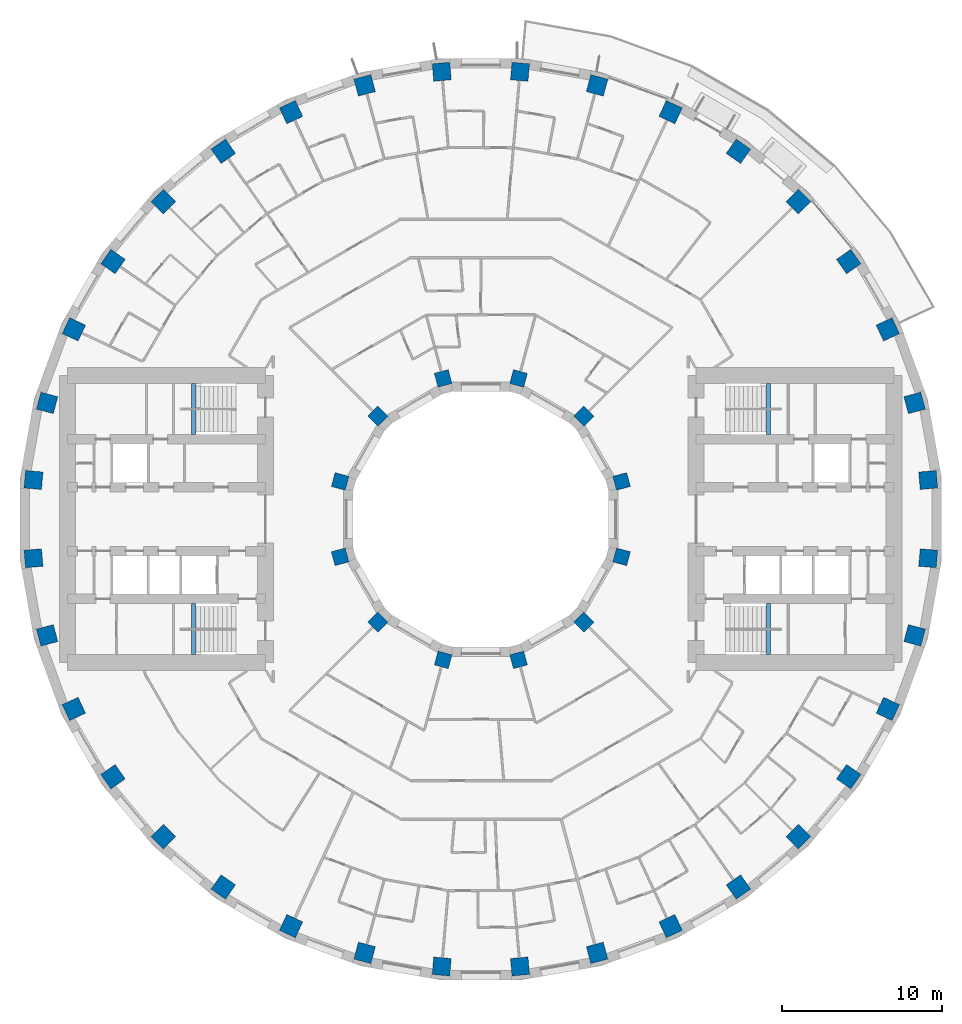
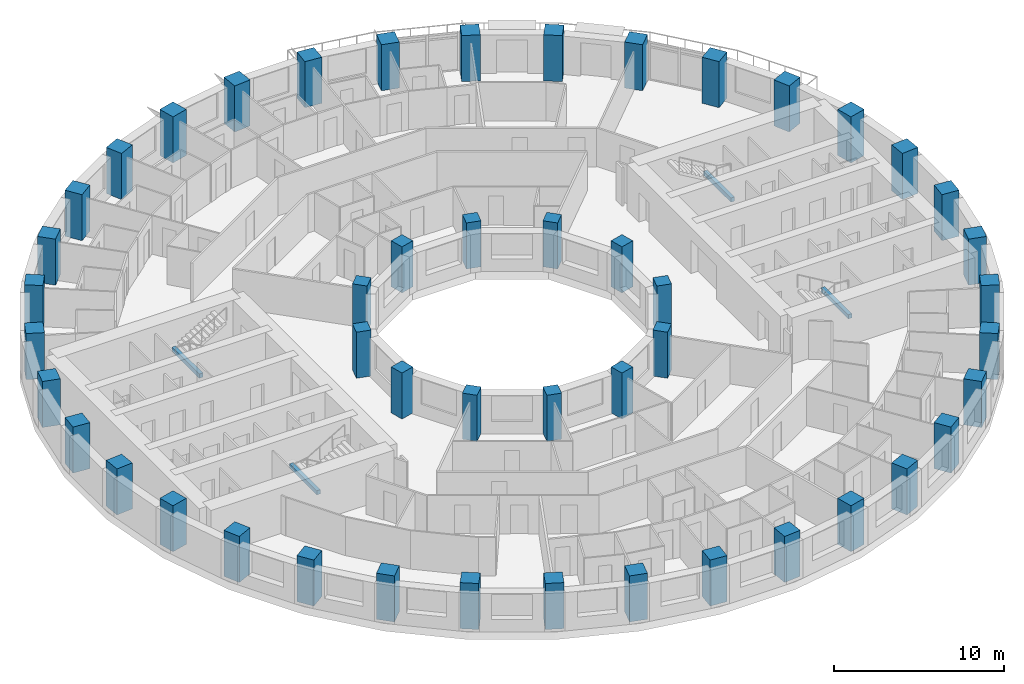
# One storey, part 1 of 15: 48 columns, 4 beams.
"""IFC4 building model written with IfcOpenShell, lengths in metres."""

from ifc_helpers import new_model, si_unit, direction, frame, origin, origin_2d, place, context, subcontext, project, spatial, rectangle, extrude, material, material_profile, profile_set, type_object, element, save


model = new_model("IFC4")

# Units and contexts
model_context = context("Model", 3, precision=1e-05, world=origin(), true_north=direction((0.0, 1.0)))
body_context = subcontext(model_context, "Body", "Model", "MODEL_VIEW")
ifc_project = project(units=[si_unit("LENGTHUNIT", "METRE"), si_unit("AREAUNIT", "SQUARE_METRE"), si_unit("VOLUMEUNIT", "CUBIC_METRE"), si_unit("PLANEANGLEUNIT", "RADIAN"), si_unit("MASSUNIT", "GRAM", prefix="KILO")], contexts=[model_context])

# Site, building, storey
site_placement = place(None, origin())
site = spatial("IfcSite", under=ifc_project, at=site_placement, CompositionType="ELEMENT")
building_placement = place(site_placement, origin())
building = spatial("IfcBuilding", under=site, at=building_placement, Name="Saqina Gate Tower", CompositionType="ELEMENT")
storey_placement = place(building_placement, frame((0.0, 0.0, 72.5)))
storey = spatial("IfcBuildingStorey", under=building, at=storey_placement, Name="L20", CompositionType="ELEMENT", Elevation=72.5)

# Columns
ifc_material_1 = material(Name="Concrete C70/85", Category="concrete")
ifc_material_profile_1 = material_profile(ifc_material_1, rectangle(XDim=0.89990234375, YDim=0.89990234375, at=origin_2d()), Name="RC 900x900")
ifc_profile_set_1 = profile_set([ifc_material_profile_1], Name="Concrete C70/85")
column_type_1 = type_object("IfcColumnType", Name="STR-COL-IN-A", PredefinedType="COLUMN", material=ifc_profile_set_1)
for number, where, z_axis, x_axis, name in (
    (1, (8.821044921875, 2.363525390625, 0.0), (0.0, 0.0, 1.0), (0.965925826289, 0.258819045103, 0.0), "L20-ICL01"),
    (2, (6.45751953125, 6.45751953125, 0.0), (0.0, 0.0, 1.0), (0.707106781187, 0.707106781187, 0.0), "L20-ICL02"),
    (3, (2.363525390625, 8.821044921875, 0.0), (0.0, 0.0, 1.0), (0.258819045103, 0.965925826289, 0.0), "L20-ICL03"),
    (4, (-2.363525390625, 8.821044921875, 0.0), (0.0, 0.0, 1.0), (-0.258819045103, 0.965925826289, 0.0), "L20-ICL04"),
    (5, (-6.45751953125, 6.45751953125, 0.0), (0.0, 0.0, 1.0), (-0.707106781187, 0.707106781187, 0.0), "L20-ICL05"),
    (6, (-8.821044921875, 2.363525390625, 0.0), (0.0, 0.0, 1.0), (-0.965925826289, 0.258819045103, 0.0), "L20-ICL06"),
    (7, (-8.821044921875, -2.363525390625, 0.0), (0.0, 0.0, 1.0), (-0.965925826289, -0.258819045103, 0.0), "L20-ICL07"),
    (8, (-6.45751953125, -6.45751953125, 0.0), (0.0, 0.0, 1.0), (-0.707106781187, -0.707106781187, 0.0), "L20-ICL08"),
    (9, (-2.363525390625, -8.821044921875, 0.0), (0.0, 0.0, 1.0), (-0.258819045103, -0.965925826289, 0.0), "L20-ICL09"),
    (10, (2.363525390625, -8.821044921875, 0.0), (0.0, 0.0, 1.0), (0.258819045103, -0.965925826289, 0.0), "L20-ICL10"),
    (11, (6.45751953125, -6.45751953125, 0.0), (0.0, 0.0, 1.0), (0.707106781187, -0.707106781187, 0.0), "L20-ICL11"),
    (12, (8.821044921875, -2.363525390625, 0.0), (0.0, 0.0, 1.0), (0.965925826289, -0.258819045103, 0.0), "L20-ICL12"),
):
    element("IfcColumn", number, at=place(storey_placement, frame(where, z_axis=z_axis, x_axis=x_axis)), inside=storey, type_object=column_type_1, Name=name, PredefinedType="COLUMN", context=body_context, shape_type="SweptSolid", body=[
        extrude(rectangle(XDim=0.89990234375, YDim=0.89990234375, at=origin_2d()), origin(), (0.0, 0.0, 1.0), 3.300048828125),
    ])
ifc_material_2 = material(Name="Concrete C70/85", Category="concrete")
ifc_material_profile_2 = material_profile(ifc_material_2, rectangle(XDim=1.10009765625, YDim=1.10009765625, at=origin_2d()), Name="RC 1100x1100")
ifc_profile_set_2 = profile_set([ifc_material_profile_2], Name="Concrete C70/85")
column_type_2 = type_object("IfcColumnType", Name="STR-COL-OUT-A", PredefinedType="COLUMN", material=ifc_profile_set_2)
for number, where, z_axis, x_axis, name in (
    (13, (28.04296875, 2.453369140625, 0.0), (0.0, 0.0, 1.0), (0.996194698092, 0.087155742748, 0.0), "L20-COL01"),
    (14, (27.19091796875, 7.28564453125, 0.0), (0.0, 0.0, 1.0), (0.965925826289, 0.258819045103, 0.0), "L20-COL02"),
    (15, (25.512451171875, 11.896728515625, 0.0), (0.0, 0.0, 1.0), (0.906307787037, 0.422618261741, 0.0), "L20-COL03"),
    (16, (23.05908203125, 16.146240234375, 0.0), (0.0, 0.0, 1.0), (0.819152044289, 0.573576436351, 0.0), "L20-COL04"),
    (17, (19.905029296875, 19.905029296875, 0.0), (0.0, 0.0, 1.0), (0.707106781187, 0.707106781187, 0.0), "L20-COL05"),
    (18, (16.146240234375, 23.05908203125, 0.0), (0.0, 0.0, 1.0), (0.573576436351, 0.819152044289, 0.0), "L20-COL06"),
    (19, (11.896728515625, 25.512451171875, 0.0), (0.0, 0.0, 1.0), (0.422618261741, 0.906307787037, 0.0), "L20-COL07"),
    (20, (7.28564453125, 27.19091796875, 0.0), (0.0, 0.0, 1.0), (0.258819045103, 0.965925826289, 0.0), "L20-COL08"),
    (21, (2.453369140625, 28.04296875, 0.0), (0.0, 0.0, 1.0), (0.087155742748, 0.996194698092, 0.0), "L20-COL09"),
    (22, (-2.453369140625, 28.04296875, 0.0), (0.0, 0.0, 1.0), (-0.087155742748, 0.996194698092, 0.0), "L20-COL10"),
    (23, (-7.28564453125, 27.19091796875, 0.0), (0.0, 0.0, 1.0), (-0.258819045103, 0.965925826289, 0.0), "L20-COL11"),
    (24, (-11.896728515625, 25.512451171875, 0.0), (0.0, 0.0, 1.0), (-0.422618261741, 0.906307787037, 0.0), "L20-COL12"),
    (25, (-16.146240234375, 23.05908203125, 0.0), (0.0, 0.0, 1.0), (-0.573576436351, 0.819152044289, 0.0), "L20-COL13"),
    (26, (-19.905029296875, 19.905029296875, 0.0), (0.0, 0.0, 1.0), (-0.707106781187, 0.707106781187, 0.0), "L20-COL14"),
    (27, (-23.05908203125, 16.146240234375, 0.0), (0.0, 0.0, 1.0), (-0.819152044289, 0.573576436351, 0.0), "L20-COL15"),
    (28, (-25.512451171875, 11.896728515625, 0.0), (0.0, 0.0, 1.0), (-0.906307787037, 0.422618261741, 0.0), "L20-COL16"),
    (29, (-27.19091796875, 7.28564453125, 0.0), (0.0, 0.0, 1.0), (-0.965925826289, 0.258819045103, 0.0), "L20-COL17"),
    (30, (-28.04296875, 2.453369140625, 0.0), (0.0, 0.0, 1.0), (-0.996194698092, 0.087155742748, 0.0), "L20-COL18"),
    (31, (-28.04296875, -2.453369140625, 0.0), (0.0, 0.0, 1.0), (-0.996194698092, -0.087155742748, 0.0), "L20-COL19"),
    (32, (-27.19091796875, -7.28564453125, 0.0), (0.0, 0.0, 1.0), (-0.965925826289, -0.258819045103, 0.0), "L20-COL20"),
    (33, (-25.512451171875, -11.896728515625, 0.0), (0.0, 0.0, 1.0), (-0.906307787037, -0.422618261741, 0.0), "L20-COL21"),
    (34, (-23.05908203125, -16.146240234375, 0.0), (0.0, 0.0, 1.0), (-0.819152044289, -0.573576436351, 0.0), "L20-COL22"),
    (35, (-19.905029296875, -19.905029296875, 0.0), (0.0, 0.0, 1.0), (-0.707106781187, -0.707106781187, 0.0), "L20-COL23"),
    (36, (-16.146240234375, -23.05908203125, 0.0), (0.0, 0.0, 1.0), (-0.573576436351, -0.819152044289, 0.0), "L20-COL24"),
    (37, (-11.896728515625, -25.512451171875, 0.0), (0.0, 0.0, 1.0), (-0.422618261741, -0.906307787037, 0.0), "L20-COL25"),
    (38, (-7.28564453125, -27.19091796875, 0.0), (0.0, 0.0, 1.0), (-0.258819045103, -0.965925826289, 0.0), "L20-COL26"),
    (39, (-2.453369140625, -28.04296875, 0.0), (0.0, 0.0, 1.0), (-0.087155742748, -0.996194698092, 0.0), "L20-COL27"),
    (40, (2.453369140625, -28.04296875, 0.0), (0.0, 0.0, 1.0), (0.087155742748, -0.996194698092, 0.0), "L20-COL28"),
    (41, (7.28564453125, -27.19091796875, 0.0), (0.0, 0.0, 1.0), (0.258819045103, -0.965925826289, 0.0), "L20-COL29"),
    (42, (11.896728515625, -25.512451171875, 0.0), (0.0, 0.0, 1.0), (0.422618261741, -0.906307787037, 0.0), "L20-COL30"),
    (43, (16.146240234375, -23.05908203125, 0.0), (0.0, 0.0, 1.0), (0.573576436351, -0.819152044289, 0.0), "L20-COL31"),
    (44, (19.905029296875, -19.905029296875, 0.0), (0.0, 0.0, 1.0), (0.707106781187, -0.707106781187, 0.0), "L20-COL32"),
    (45, (23.05908203125, -16.146240234375, 0.0), (0.0, 0.0, 1.0), (0.819152044289, -0.573576436351, 0.0), "L20-COL33"),
    (46, (25.512451171875, -11.896728515625, 0.0), (0.0, 0.0, 1.0), (0.906307787037, -0.422618261741, 0.0), "L20-COL34"),
    (47, (27.19091796875, -7.28564453125, 0.0), (0.0, 0.0, 1.0), (0.965925826289, -0.258819045103, 0.0), "L20-COL35"),
    (48, (28.04296875, -2.453369140625, 0.0), (0.0, 0.0, 1.0), (0.996194698092, -0.087155742748, 0.0), "L20-COL36"),
):
    element("IfcColumn", number, at=place(storey_placement, frame(where, z_axis=z_axis, x_axis=x_axis)), inside=storey, type_object=column_type_2, Name=name, PredefinedType="COLUMN", context=body_context, shape_type="SweptSolid", body=[
        extrude(rectangle(XDim=1.10009765625, YDim=1.10009765625, at=origin_2d()), origin(), (0.0, 0.0, 1.0), 3.300048828125),
    ])

# Beams
ifc_material_3 = material(Name="Concrete C40/50", Category="concrete")
ifc_material_profile_3 = material_profile(ifc_material_3, rectangle(XDim=0.25, YDim=0.300048828125, at=origin_2d()), Name="STAIR LANDING BEAM")
ifc_profile_set_3 = profile_set([ifc_material_profile_3], Name="Concrete C40/50")
beam_type = type_object("IfcBeamType", Name="STAIR LANDING BEAM", PredefinedType="BEAM", material=ifc_profile_set_3)
for number, where, z_axis, x_axis, name in (
    (49, (18.02001953125, 5.300048828125, 1.25), (0.0, 1.0, 0.0), (-1.0, 0.0, 0.0), "EXIT STAIR 1 LANDING BEAM"),
    (50, (18.02001953125, -8.5, 1.25), (0.0, 1.0, 0.0), (-1.0, 0.0, 0.0), "EXIT STAIR 2 LANDING BEAM"),
    (51, (-18.02001953125, 5.300048828125, 1.25), (0.0, 1.0, 0.0), (-1.0, 0.0, 0.0), "EXIT STAIR 3 LANDING BEAM"),
    (52, (-18.02001953125, -8.5, 1.25), (0.0, 1.0, 0.0), (-1.0, 0.0, 0.0), "EXIT STAIR 4 LANDING BEAM"),
):
    element("IfcBeam", number, at=place(storey_placement, frame(where, z_axis=z_axis, x_axis=x_axis)), inside=storey, type_object=beam_type, Name=name, PredefinedType="BEAM", context=body_context, shape_type="SweptSolid", body=[
        extrude(rectangle(XDim=0.25, YDim=0.300048828125, at=origin_2d()), origin(), (0.0, 0.0, 1.0), 3.199951171875),
    ])

save(model, "model.ifc")
